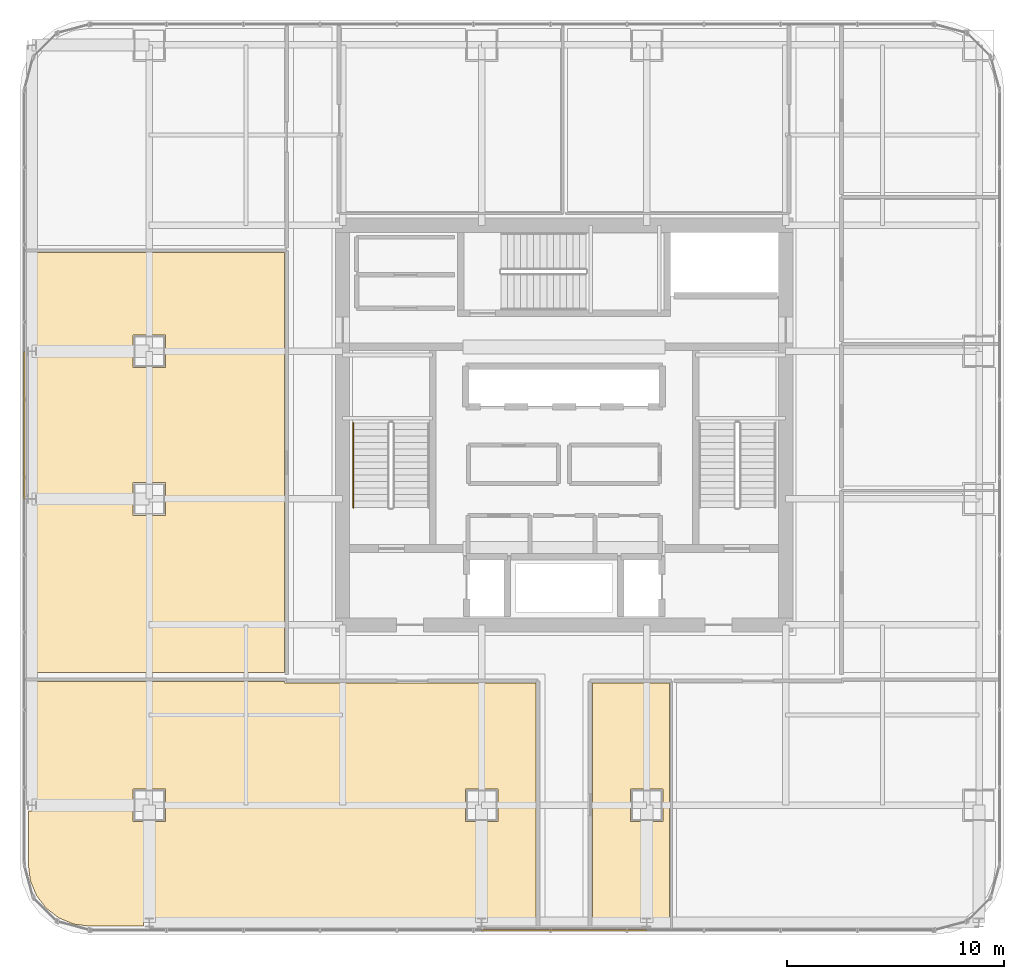
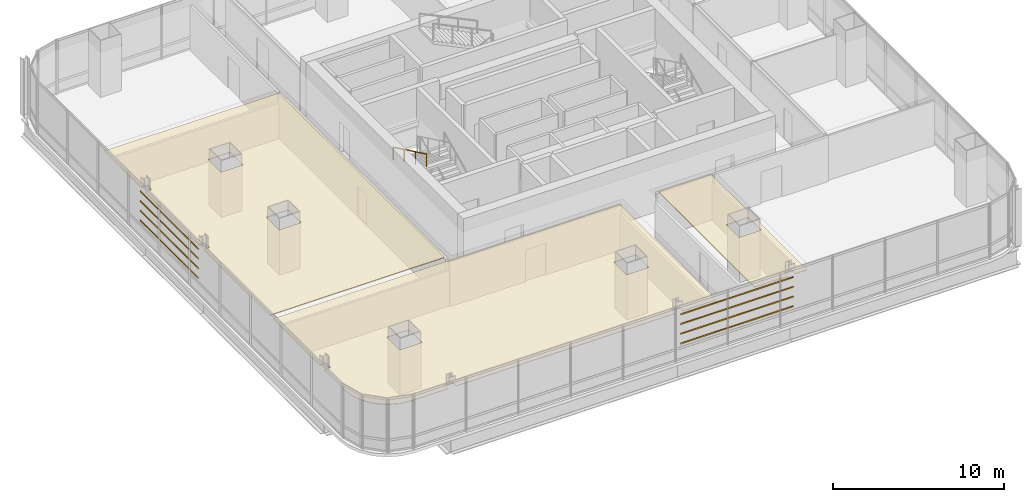
# One storey, part 33 of 37: 8 shading devices, 3 coverings, 1 railing.
"""IFC4 building model written with IfcOpenShell, lengths in metres."""

from ifc_helpers import new_model, si_unit, direction, frame, origin, origin_2d, place, context, subcontext, project, spatial, polyline, hollow_rectangle, circle, outline, extrude, material, layer, layer_set, material_profile, profile_set, type_object, element, save


model = new_model("IFC4")

# Units and contexts
model_context = context("Model", 3, precision=1e-05, world=origin(), true_north=direction((0.0, 1.0)))
body_context = subcontext(model_context, "Body", "Model", "MODEL_VIEW")
ifc_project = project(units=[si_unit("LENGTHUNIT", "METRE"), si_unit("AREAUNIT", "SQUARE_METRE"), si_unit("VOLUMEUNIT", "CUBIC_METRE"), si_unit("PLANEANGLEUNIT", "RADIAN"), si_unit("MASSUNIT", "GRAM", prefix="KILO")], contexts=[model_context])

# Site, building, storey
site_placement = place(None, origin())
site = spatial("IfcSite", under=ifc_project, at=site_placement, CompositionType="ELEMENT")
building_placement = place(site_placement, origin())
building = spatial("IfcBuilding", under=site, at=building_placement, Name="Punatoya Terracotta Tower", CompositionType="ELEMENT")
storey_placement = place(building_placement, frame((0.0, 0.0, 192.449951171875)))
storey = spatial("IfcBuildingStorey", under=building, at=storey_placement, Name="L45", CompositionType="ELEMENT", Elevation=192.449951171875)

# Coverings
ifc_material_1 = material(Name="Acoustic Mineral Fibre Ceiling")
ifc_layer = layer(ifc_material_1, 0.06005859375)
ifc_layer_set = layer_set([ifc_layer], Name="Acoustic Mineral Fibre Ceiling")
covering_type = type_object("IfcCoveringType", Name="COV-CEIL-60", PredefinedType="CEILING", material=ifc_layer_set)
covering_1_placement = place(storey_placement, frame((0.0, 0.0, 3.219970703125)))
element("IfcCovering", 1, at=covering_1_placement, inside=storey, type_object=covering_type, Name="L45 Open-Plan Plenary Seminar Room Acoustic Ceiling", PredefinedType="CEILING", context=body_context, shape_type="SweptSolid", body=[
    extrude(outline(polyline([(1.300048828125, -23.070068359375), (3.54541015625, -23.070068359375), (3.54541015625, -22.637451171875), (4.054443359375, -22.637451171875), (4.054443359375, -23.070068359375), (4.847900390625, -23.070068359375), (4.847900390625, -11.8701171875), (1.300048828125, -11.8701171875), (1.300048828125, -23.070068359375)]), holes=[polyline([(4.550048828125, -16.75), (4.550048828125, -18.25), (3.050048828125, -18.25), (3.050048828125, -16.75), (4.550048828125, -16.75)])]), origin(), (0.0, 0.0, 1.0), 0.06005859375),
])
covering_2_placement = place(storey_placement, frame((0.0, 0.0, 3.219970703125)))
element("IfcCovering", 2, at=covering_2_placement, inside=storey, type_object=covering_type, Name="L45 Client Strategy Boardroom Acoustic Ceiling", PredefinedType="CEILING", context=body_context, shape_type="SweptSolid", body=[
    extrude(outline(polyline([(-18.845458984375, -23.070068359375), (-4.054443359375, -23.070068359375), (-4.054443359375, -22.637451171875), (-3.54541015625, -22.637451171875), (-3.54541015625, -23.070068359375), (-1.300048828125, -23.070068359375), (-1.300048828125, -11.8701171875), (-12.8701171875, -11.8701171875), (-12.8701171875, -11.81005859375), (-24.669921875, -11.81005859375), (-24.669921875, -17.237548828125), (-24.24560546875, -17.237548828125), (-24.24560546875, -17.762451171875), (-24.669921875, -17.762451171875), (-24.669921875, -20.22509765625), (-24.57080078125, -20.97900390625), (-24.289306640625, -21.658203125), (-23.841796875, -22.24169921875), (-23.25830078125, -22.689453125), (-22.5791015625, -22.970703125), (-21.8251953125, -23.070068359375), (-19.3544921875, -23.070068359375), (-19.3544921875, -22.637451171875), (-18.845458984375, -22.637451171875), (-18.845458984375, -23.070068359375)]), holes=[polyline([(-4.550048828125, -16.75), (-3.050048828125, -16.75), (-3.050048828125, -18.25), (-4.550048828125, -18.25), (-4.550048828125, -16.75)]), polyline([(-19.85009765625, -18.25), (-19.85009765625, -16.75), (-18.35009765625, -16.75), (-18.35009765625, -18.25), (-19.85009765625, -18.25)])]), origin(), (0.0, 0.0, 1.0), 0.06005859375),
])
covering_3_placement = place(storey_placement, frame((0.0, 0.0, 3.219970703125)))
element("IfcCovering", 3, at=covering_3_placement, inside=storey, type_object=covering_type, Name="L45 Breakout Tea Pantry Acoustic Ceiling", PredefinedType="CEILING", context=body_context, shape_type="SweptSolid", body=[
    extrude(outline(polyline([(-24.669921875, -3.66259765625), (-24.669921875, -11.389892578125), (-12.8701171875, -11.389892578125), (-12.8701171875, 7.93798828125), (-24.669921875, 7.93798828125), (-24.669921875, 3.66259765625), (-24.24560546875, 3.66259765625), (-24.24560546875, 3.137451171875), (-24.669921875, 3.137451171875), (-24.669921875, -3.137451171875), (-24.24560546875, -3.137451171875), (-24.24560546875, -3.66259765625), (-24.669921875, -3.66259765625)]), holes=[polyline([(-18.35009765625, -4.14990234375), (-19.85009765625, -4.14990234375), (-19.85009765625, -2.64990234375), (-18.35009765625, -2.64990234375), (-18.35009765625, -4.14990234375)]), polyline([(-18.35009765625, 4.14990234375), (-18.35009765625, 2.64990234375), (-19.85009765625, 2.64990234375), (-19.85009765625, 4.14990234375), (-18.35009765625, 4.14990234375)])]), origin(), (0.0, 0.0, 1.0), 0.06005859375),
])

# Railing
ifc_material_2 = material(Name="Steel S355", Category="steel")
railing_type = type_object("IfcRailingType", Name="RLG-HND-900", PredefinedType="HANDRAIL", material=ifc_material_2)
railing_placement = place(storey_placement, frame((-9.699951171875, 0.10009765625, 2.169677734375)))
element("IfcRailing", 4, at=railing_placement, inside=storey, type_object=railing_type, Name="L45 ST-1 stair handrail 2", PredefinedType="HANDRAIL", context=body_context, shape_type="SweptSolid", body=[
    extrude(circle(Radius=0.02392578125, at=origin_2d()), frame((0.0, 0.0, 0.8759765625), z_axis=(0.0, -0.900773802044, 0.434288564841), x_axis=(1.0, 0.0, 0.0)), (0.0, 0.0, 1.0), 4.329833984375),
    extrude(circle(Radius=0.02099609375, at=origin_2d()), origin(), (0.0, 0.0, 1.0), 0.851806640625),
    extrude(circle(Radius=0.02099609375, at=origin_2d()), frame((0.0, -1.300048828125, 0.626708984375)), (0.0, 0.0, 1.0), 0.851806640625),
    extrude(circle(Radius=0.02099609375, at=origin_2d()), frame((0.0, -2.60009765625, 1.253662109375)), (0.0, 0.0, 1.0), 0.851806640625),
    extrude(circle(Radius=0.02099609375, at=origin_2d()), frame((0.0, -3.900146484375, 1.88037109375)), (0.0, 0.0, 1.0), 0.851806640625),
])

# Shading devices
ifc_material_3 = material(Name="Architectural Fired Terracotta", Category="masonry")
ifc_material_profile = material_profile(ifc_material_3, hollow_rectangle(XDim=0.06005859375, YDim=0.090087890625, WallThickness=0.013916015625, at=origin_2d()))
ifc_profile_set = profile_set([ifc_material_profile], Name="Architectural Fired Terracotta")
shading_device_type = type_object("IfcShadingDeviceType", Name="SHD-JALI-90", PredefinedType="JALOUSIE", material=ifc_profile_set)
for number, where, z_axis, x_axis, name in (
    (5, (-3.800048828125, -23.25244140625, 1.150146484375), (1.0, 0.0, 0.0), (0.0, 1.0, 0.0), "L45 Fired Terracotta Baguette Louvre BAG-L45-S-01"),
    (6, (-3.800048828125, -23.25244140625, 1.84326171875), (1.0, 0.0, 0.0), (0.0, 1.0, 0.0), "L45 Fired Terracotta Baguette Louvre BAG-L45-S-02"),
    (7, (-3.800048828125, -23.25244140625, 2.536865234375), (1.0, 0.0, 0.0), (0.0, 1.0, 0.0), "L45 Fired Terracotta Baguette Louvre BAG-L45-S-03"),
    (8, (-3.800048828125, -23.25244140625, 3.22998046875), (1.0, 0.0, 0.0), (0.0, 1.0, 0.0), "L45 Fired Terracotta Baguette Louvre BAG-L45-S-04"),
):
    element("IfcShadingDevice", number, at=place(storey_placement, frame(where, z_axis=z_axis, x_axis=x_axis)), inside=storey, type_object=shading_device_type, Name=name, PredefinedType="JALOUSIE", context=body_context, shape_type="SweptSolid", body=[
        extrude(hollow_rectangle(XDim=0.06005859375, YDim=0.090087890625, WallThickness=0.013916015625, at=origin_2d()), origin(), (0.0, 0.0, 1.0), 7.60009765625),
    ])
for number, where, z_axis, x_axis, name in (
    (9, (-24.8525390625, -3.39990234375, 1.150146484375), (0.0, 1.0, 0.0), (-1.0, 0.0, 0.0), "L45 Fired Terracotta Baguette Louvre BAG-L45-W-01"),
    (10, (-24.8525390625, -3.39990234375, 1.84326171875), (0.0, 1.0, 0.0), (-1.0, 0.0, 0.0), "L45 Fired Terracotta Baguette Louvre BAG-L45-W-02"),
    (11, (-24.8525390625, -3.39990234375, 2.536865234375), (0.0, 1.0, 0.0), (-1.0, 0.0, 0.0), "L45 Fired Terracotta Baguette Louvre BAG-L45-W-03"),
    (12, (-24.8525390625, -3.39990234375, 3.22998046875), (0.0, 1.0, 0.0), (-1.0, 0.0, 0.0), "L45 Fired Terracotta Baguette Louvre BAG-L45-W-04"),
):
    element("IfcShadingDevice", number, at=place(storey_placement, frame(where, z_axis=z_axis, x_axis=x_axis)), inside=storey, type_object=shading_device_type, Name=name, PredefinedType="JALOUSIE", context=body_context, shape_type="SweptSolid", body=[
        extrude(hollow_rectangle(XDim=0.06005859375, YDim=0.090087890625, WallThickness=0.013916015625, at=origin_2d()), origin(), (0.0, 0.0, 1.0), 6.7998046875),
    ])

save(model, "model.ifc")
